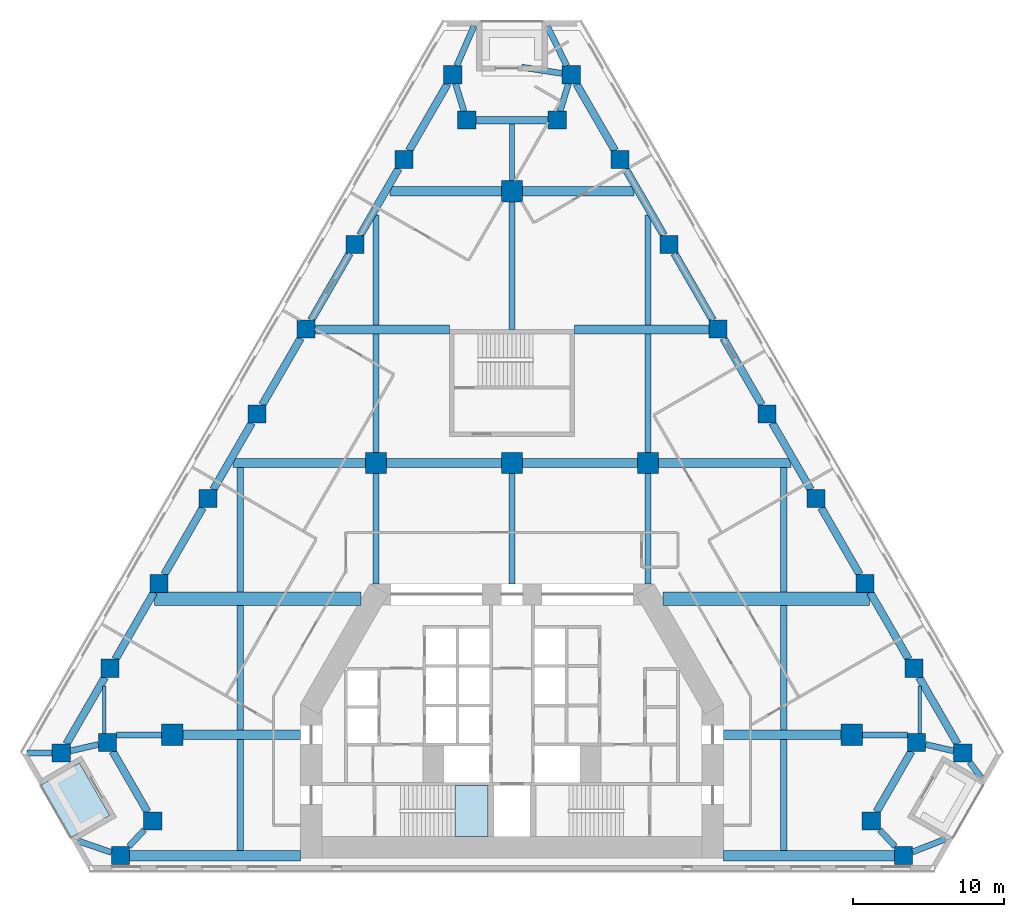
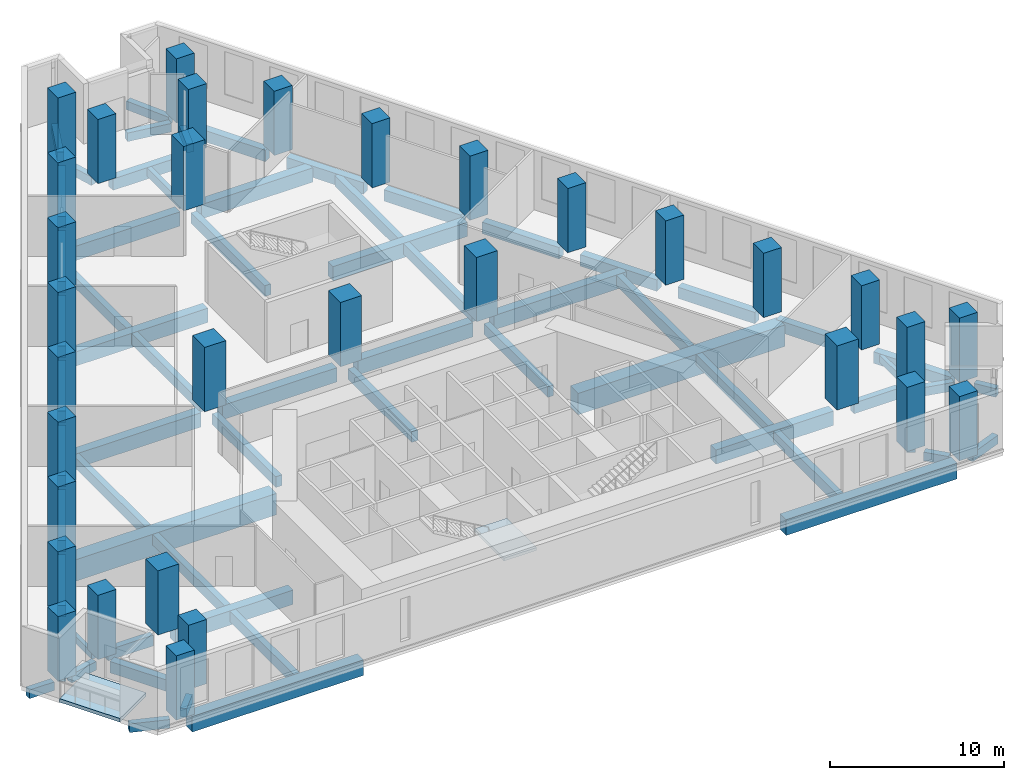
# One storey, part 1 of 14: 65 beams, 32 columns, 2 slabs, 1 element without a shape of its own.
"""IFC4 building model written with IfcOpenShell, lengths in metres."""

from ifc_helpers import new_model, si_unit, direction, frame, origin, origin_2d, place, context, subcontext, project, spatial, polyline, rectangle, outline, extrude, material, layer, layer_set, material_profile, profile_set, type_object, element, aggregate, save


model = new_model("IFC4")

# Units and contexts
model_context = context("Model", 3, precision=1e-05, world=origin(), true_north=direction((0.0, 1.0)))
body_context = subcontext(model_context, "Body", "Model", "MODEL_VIEW")
ifc_project = project(units=[si_unit("LENGTHUNIT", "METRE"), si_unit("AREAUNIT", "SQUARE_METRE"), si_unit("VOLUMEUNIT", "CUBIC_METRE"), si_unit("PLANEANGLEUNIT", "RADIAN"), si_unit("MASSUNIT", "GRAM", prefix="KILO")], contexts=[model_context])

# Site, building, storey
site_placement = place(None, origin())
site = spatial("IfcSite", under=ifc_project, at=site_placement, CompositionType="ELEMENT")
building_placement = place(site_placement, origin())
building = spatial("IfcBuilding", under=site, at=building_placement, Name="Fogline Exchange Tower", CompositionType="ELEMENT")
storey_placement = place(building_placement, frame((0.0, 0.0, 34.0)))
storey = spatial("IfcBuildingStorey", under=building, at=storey_placement, Name="L06", CompositionType="ELEMENT", Elevation=34.0)

# Columns
ifc_material_1 = material(Name="Concrete C80", Category="concrete")
ifc_material_profile_1 = material_profile(ifc_material_1, rectangle(XDim=1.199951171875, YDim=1.199951171875, at=origin_2d()), Name="RC 1200x1200")
ifc_profile_set_1 = profile_set([ifc_material_profile_1], Name="Concrete C80")
column_type_1 = type_object("IfcColumnType", Name="C01", PredefinedType="COLUMN", material=ifc_profile_set_1)
for number, where, z_axis, x_axis, name in (
    (1, (-29.855712890625, 7.794189453125, 0.0), (0.0, 0.0, 1.0), (1.0, 0.0, 0.0), "SW-a"),
    (2, (-26.79638671875, 8.4951171875, 0.0), (0.0, 0.0, 1.0), (1.0, 0.0, 0.0), "SW-p4"),
    (3, (-23.79638671875, 3.299072265625, 0.0), (0.0, 0.0, 1.0), (1.0, 0.0, 0.0), "SW-p3"),
    (4, (-25.93310546875, 1.0, 0.0), (0.0, 0.0, 1.0), (1.0, 0.0, 0.0), "SW-b"),
    (5, (25.93310546875, 1.0, 0.0), (0.0, 0.0, 1.0), (1.0, 0.0, 0.0), "SE-a"),
    (6, (23.79638671875, 3.299072265625, 0.0), (0.0, 0.0, 1.0), (1.0, 0.0, 0.0), "SE-p4"),
    (7, (26.79638671875, 8.4951171875, 0.0), (0.0, 0.0, 1.0), (1.0, 0.0, 0.0), "SE-p3"),
    (8, (29.855712890625, 7.794189453125, 0.0), (0.0, 0.0, 1.0), (1.0, 0.0, 0.0), "SE-b"),
    (9, (26.614013671875, 13.408935546875, 0.0), (0.0, 0.0, 1.0), (1.0, 0.0, 0.0), "E1"),
    (10, (23.37255859375, 19.023681640625, 0.0), (0.0, 0.0, 1.0), (1.0, 0.0, 0.0), "E2"),
    (11, (20.130859375, 24.63818359375, 0.0), (0.0, 0.0, 1.0), (1.0, 0.0, 0.0), "E3"),
    (12, (16.88916015625, 30.2529296875, 0.0), (0.0, 0.0, 1.0), (1.0, 0.0, 0.0), "E4"),
    (13, (13.647705078125, 35.86767578125, 0.0), (0.0, 0.0, 1.0), (1.0, 0.0, 0.0), "E5"),
    (14, (10.406005859375, 41.482421875, 0.0), (0.0, 0.0, 1.0), (1.0, 0.0, 0.0), "E6"),
    (15, (7.164306640625, 47.096923828125, 0.0), (0.0, 0.0, 1.0), (1.0, 0.0, 0.0), "E7"),
    (16, (3.922607421875, 52.711669921875, 0.0), (0.0, 0.0, 1.0), (1.0, 0.0, 0.0), "N-a"),
    (17, (3.0, 49.711669921875, 0.0), (0.0, 0.0, 1.0), (1.0, 0.0, 0.0), "N-p4"),
    (18, (-3.0, 49.711669921875, 0.0), (0.0, 0.0, 1.0), (1.0, 0.0, 0.0), "N-p3"),
    (19, (-3.922607421875, 52.711669921875, 0.0), (0.0, 0.0, 1.0), (1.0, 0.0, 0.0), "N-b"),
    (20, (-7.164306640625, 47.096923828125, 0.0), (0.0, 0.0, 1.0), (1.0, 0.0, 0.0), "W1"),
    (21, (-10.406005859375, 41.482421875, 0.0), (0.0, 0.0, 1.0), (1.0, 0.0, 0.0), "W2"),
    (22, (-13.647705078125, 35.86767578125, 0.0), (0.0, 0.0, 1.0), (1.0, 0.0, 0.0), "W3"),
    (23, (-16.88916015625, 30.2529296875, 0.0), (0.0, 0.0, 1.0), (1.0, 0.0, 0.0), "W4"),
    (24, (-20.130859375, 24.63818359375, 0.0), (0.0, 0.0, 1.0), (1.0, 0.0, 0.0), "W5"),
    (25, (-23.37255859375, 19.023681640625, 0.0), (0.0, 0.0, 1.0), (1.0, 0.0, 0.0), "W6"),
    (26, (-26.614013671875, 13.408935546875, 0.0), (0.0, 0.0, 1.0), (1.0, 0.0, 0.0), "W7"),
):
    element("IfcColumn", number, at=place(storey_placement, frame(where, z_axis=z_axis, x_axis=x_axis)), inside=storey, type_object=column_type_1, Name=name, PredefinedType="COLUMN", context=body_context, shape_type="SweptSolid", body=[
        extrude(rectangle(XDim=1.199951171875, YDim=1.199951171875, at=origin_2d()), origin(), (0.0, 0.0, 1.0), 4.5),
    ])
ifc_material_profile_2 = material_profile(ifc_material_1, rectangle(XDim=1.39990234375, YDim=1.39990234375, at=origin_2d()), Name="RC 1400x1400")
ifc_profile_set_2 = profile_set([ifc_material_profile_2], Name="Concrete C80")
column_type_2 = type_object("IfcColumnType", Name="C02", PredefinedType="COLUMN", material=ifc_profile_set_2)
for number, where, z_axis, x_axis, name in (
    (27, (-9.0, 27.0, 0.0), (0.0, 0.0, 1.0), (1.0, 0.0, 0.0), "IC--9-27"),
    (28, (0.0, 27.0, 0.0), (0.0, 0.0, 1.0), (1.0, 0.0, 0.0), "IC-0-27"),
    (29, (9.0, 27.0, 0.0), (0.0, 0.0, 1.0), (1.0, 0.0, 0.0), "IC-9-27"),
    (30, (0.0, 45.0, 0.0), (0.0, 0.0, 1.0), (1.0, 0.0, 0.0), "IC-0-45"),
    (31, (-22.5, 9.0, 0.0), (0.0, 0.0, 1.0), (1.0, 0.0, 0.0), "IC--225-9"),
    (32, (22.5, 9.0, 0.0), (0.0, 0.0, 1.0), (1.0, 0.0, 0.0), "IC-225-9"),
):
    element("IfcColumn", number, at=place(storey_placement, frame(where, z_axis=z_axis, x_axis=x_axis)), inside=storey, type_object=column_type_2, Name=name, PredefinedType="COLUMN", context=body_context, shape_type="SweptSolid", body=[
        extrude(rectangle(XDim=1.39990234375, YDim=1.39990234375, at=origin_2d()), origin(), (0.0, 0.0, 1.0), 4.5),
    ])

# Beams
ifc_material_2 = material(Name="Concrete C40", Category="concrete")
ifc_material_profile_3 = material_profile(ifc_material_2, rectangle(XDim=0.89990234375, YDim=1.5, at=origin_2d()), Name="RC 900x1500")
ifc_profile_set_3 = profile_set([ifc_material_profile_3], Name="Concrete C40")
beam_type_1 = type_object("IfcBeamType", Name="B01", PredefinedType="BEAM", material=ifc_profile_set_3)
for number, where, z_axis, x_axis, name in (
    (33, (-23.6748046875, 18.0, -1.050048828125), (1.0, 0.0, 0.0), (0.0, 1.0, 0.0), "GB005"),
    (34, (9.989013671875, 18.0, -1.050048828125), (1.0, 0.0, 0.0), (0.0, 1.0, 0.0), "GB006"),
):
    element("IfcBeam", number, at=place(storey_placement, frame(where, z_axis=z_axis, x_axis=x_axis)), inside=storey, type_object=beam_type_1, Name=name, PredefinedType="BEAM", context=body_context, shape_type="SweptSolid", body=[
        extrude(rectangle(XDim=0.89990234375, YDim=1.5, at=origin_2d()), origin(), (0.0, 0.0, 1.0), 13.685791015625),
    ])
ifc_material_profile_4 = material_profile(ifc_material_2, rectangle(XDim=0.60009765625, YDim=1.0, at=origin_2d()), Name="RC 600x1000")
ifc_profile_set_4 = profile_set([ifc_material_profile_4], Name="Concrete C40")
beam_type_2 = type_object("IfcBeamType", Name="B03", PredefinedType="BEAM", material=ifc_profile_set_4)
for number, where, z_axis, x_axis, name in (
    (35, (-21.800048828125, 9.0, -0.800048828125), (1.0, 0.0, 0.0), (0.0, 1.0, 0.0), "GB002"),
    (36, (14.0, 9.0, -0.800048828125), (1.0, 0.0, 0.0), (0.0, 1.0, 0.0), "GB003"),
):
    element("IfcBeam", number, at=place(storey_placement, frame(where, z_axis=z_axis, x_axis=x_axis)), inside=storey, type_object=beam_type_2, Name=name, PredefinedType="BEAM", context=body_context, shape_type="SweptSolid", body=[
        extrude(rectangle(XDim=0.60009765625, YDim=1.0, at=origin_2d()), origin(), (0.0, 0.0, 1.0), 7.800048828125),
    ])
beam_1_placement = place(storey_placement, frame((-18.478515625, 27.0, -0.800048828125), z_axis=(1.0, 0.0, 0.0), x_axis=(0.0, 1.0, 0.0)))
element("IfcBeam", 37, at=beam_1_placement, inside=storey, type_object=beam_type_2, Name="GB007", PredefinedType="BEAM", context=body_context, shape_type="SweptSolid", body=[
    extrude(rectangle(XDim=0.60009765625, YDim=1.0, at=origin_2d()), origin(), (0.0, 0.0, 1.0), 8.778564453125),
])
for number, where, z_axis, x_axis, name in (
    (38, (-8.300048828125, 27.0, -0.800048828125), (1.0, 0.0, 0.0), (0.0, 1.0, 0.0), "GB008"),
    (39, (0.699951171875, 27.0, -0.800048828125), (1.0, 0.0, 0.0), (0.0, 1.0, 0.0), "GB009"),
):
    element("IfcBeam", number, at=place(storey_placement, frame(where, z_axis=z_axis, x_axis=x_axis)), inside=storey, type_object=beam_type_2, Name=name, PredefinedType="BEAM", context=body_context, shape_type="SweptSolid", body=[
        extrude(rectangle(XDim=0.60009765625, YDim=1.0, at=origin_2d()), origin(), (0.0, 0.0, 1.0), 7.60009765625),
    ])
beam_2_placement = place(storey_placement, frame((9.699951171875, 27.0, -0.800048828125), z_axis=(1.0, 0.0, 0.0), x_axis=(0.0, 1.0, 0.0)))
element("IfcBeam", 40, at=beam_2_placement, inside=storey, type_object=beam_type_2, Name="GB010", PredefinedType="BEAM", context=body_context, shape_type="SweptSolid", body=[
    extrude(rectangle(XDim=0.60009765625, YDim=1.0, at=origin_2d()), origin(), (0.0, 0.0, 1.0), 8.778564453125),
])
for number, where, z_axis, x_axis, name in (
    (41, (-13.047607421875, 35.85693359375, -0.800048828125), (1.0, 0.0, 0.0), (0.0, 1.0, 0.0), "GB011"),
    (42, (4.14990234375, 35.85693359375, -0.800048828125), (1.0, 0.0, 0.0), (0.0, 1.0, 0.0), "GB012"),
):
    element("IfcBeam", number, at=place(storey_placement, frame(where, z_axis=z_axis, x_axis=x_axis)), inside=storey, type_object=beam_type_2, Name=name, PredefinedType="BEAM", context=body_context, shape_type="SweptSolid", body=[
        extrude(rectangle(XDim=0.60009765625, YDim=1.0, at=origin_2d()), origin(), (0.0, 0.0, 1.0), 8.897705078125),
    ])
for number, where, z_axis, x_axis, name in (
    (43, (-8.086181640625, 45.0, -0.800048828125), (1.0, 0.0, 0.0), (0.0, 1.0, 0.0), "GB013"),
    (44, (0.699951171875, 45.0, -0.800048828125), (1.0, 0.0, 0.0), (0.0, 1.0, 0.0), "GB014"),
):
    element("IfcBeam", number, at=place(storey_placement, frame(where, z_axis=z_axis, x_axis=x_axis)), inside=storey, type_object=beam_type_2, Name=name, PredefinedType="BEAM", context=body_context, shape_type="SweptSolid", body=[
        extrude(rectangle(XDim=0.60009765625, YDim=1.0, at=origin_2d()), origin(), (0.0, 0.0, 1.0), 7.38623046875),
    ])
ifc_material_profile_5 = material_profile(ifc_material_2, rectangle(XDim=0.39990234375, YDim=0.75, at=origin_2d()), Name="RC 400x750")
ifc_profile_set_5 = profile_set([ifc_material_profile_5], Name="Concrete C40")
beam_type_3 = type_object("IfcBeamType", Name="B05", PredefinedType="BEAM", material=ifc_profile_set_5)
for number, where, z_axis, x_axis, name in (
    (45, (-26.1962890625, 9.0, -0.675048828125), (1.0, 0.0, 0.0), (0.0, 1.0, 0.0), "GB001"),
    (46, (23.199951171875, 9.0, -0.675048828125), (1.0, 0.0, 0.0), (0.0, 1.0, 0.0), "GB004"),
):
    element("IfcBeam", number, at=place(storey_placement, frame(where, z_axis=z_axis, x_axis=x_axis)), inside=storey, type_object=beam_type_3, Name=name, PredefinedType="BEAM", context=body_context, shape_type="SweptSolid", body=[
        extrude(rectangle(XDim=0.39990234375, YDim=0.75, at=origin_2d()), origin(), (0.0, 0.0, 1.0), 2.996337890625),
    ])
beam_3_placement = place(storey_placement, frame((-18.0, 1.35009765625, -0.675048828125), z_axis=(0.0, 1.0, 0.0), x_axis=(-1.0, 0.0, 0.0)))
element("IfcBeam", 47, at=beam_3_placement, inside=storey, type_object=beam_type_3, Name="SB002", PredefinedType="BEAM", context=body_context, shape_type="SweptSolid", body=[
    extrude(rectangle(XDim=0.39990234375, YDim=0.75, at=origin_2d()), origin(), (0.0, 0.0, 1.0), 7.349853515625),
])
for number, where, z_axis, x_axis, name in (
    (48, (-18.0, 9.300048828125, -0.675048828125), (0.0, 1.0, 0.0), (-1.0, 0.0, 0.0), "SB003"),
    (49, (-18.0, 18.449951171875, -0.675048828125), (0.0, 1.0, 0.0), (-1.0, 0.0, 0.0), "SB004"),
):
    element("IfcBeam", number, at=place(storey_placement, frame(where, z_axis=z_axis, x_axis=x_axis)), inside=storey, type_object=beam_type_3, Name=name, PredefinedType="BEAM", context=body_context, shape_type="SweptSolid", body=[
        extrude(rectangle(XDim=0.39990234375, YDim=0.75, at=origin_2d()), origin(), (0.0, 0.0, 1.0), 8.25),
    ])
beam_4_placement = place(storey_placement, frame((-9.0, 19.0, -0.675048828125), z_axis=(0.0, 1.0, 0.0), x_axis=(-1.0, 0.0, 0.0)))
element("IfcBeam", 50, at=beam_4_placement, inside=storey, type_object=beam_type_3, Name="SB005", PredefinedType="BEAM", context=body_context, shape_type="SweptSolid", body=[
    extrude(rectangle(XDim=0.39990234375, YDim=0.75, at=origin_2d()), origin(), (0.0, 0.0, 1.0), 7.300048828125),
])
beam_5_placement = place(storey_placement, frame((-9.0, 27.699951171875, -0.675048828125), z_axis=(0.0, 1.0, 0.0), x_axis=(-1.0, 0.0, 0.0)))
element("IfcBeam", 51, at=beam_5_placement, inside=storey, type_object=beam_type_3, Name="SB006", PredefinedType="BEAM", context=body_context, shape_type="SweptSolid", body=[
    extrude(rectangle(XDim=0.39990234375, YDim=0.75, at=origin_2d()), origin(), (0.0, 0.0, 1.0), 7.85693359375),
])
beam_6_placement = place(storey_placement, frame((-9.0, 36.156982421875, -0.675048828125), z_axis=(0.0, 1.0, 0.0), x_axis=(-1.0, 0.0, 0.0)))
element("IfcBeam", 52, at=beam_6_placement, inside=storey, type_object=beam_type_3, Name="SB007", PredefinedType="BEAM", context=body_context, shape_type="SweptSolid", body=[
    extrude(rectangle(XDim=0.39990234375, YDim=0.75, at=origin_2d()), origin(), (0.0, 0.0, 1.0), 7.260498046875),
])
beam_7_placement = place(storey_placement, frame((0.0, 19.0, -0.675048828125), z_axis=(0.0, 1.0, 0.0), x_axis=(-1.0, 0.0, 0.0)))
element("IfcBeam", 53, at=beam_7_placement, inside=storey, type_object=beam_type_3, Name="SB008", PredefinedType="BEAM", context=body_context, shape_type="SweptSolid", body=[
    extrude(rectangle(XDim=0.39990234375, YDim=0.75, at=origin_2d()), origin(), (0.0, 0.0, 1.0), 7.300048828125),
])
beam_8_placement = place(storey_placement, frame((0.0, 35.85693359375, -0.675048828125), z_axis=(0.0, 1.0, 0.0), x_axis=(-1.0, 0.0, 0.0)))
element("IfcBeam", 54, at=beam_8_placement, inside=storey, type_object=beam_type_3, Name="SB009", PredefinedType="BEAM", context=body_context, shape_type="SweptSolid", body=[
    extrude(rectangle(XDim=0.39990234375, YDim=0.75, at=origin_2d()), origin(), (0.0, 0.0, 1.0), 8.443115234375),
])
beam_9_placement = place(storey_placement, frame((9.0, 19.0, -0.675048828125), z_axis=(0.0, 1.0, 0.0), x_axis=(-1.0, 0.0, 0.0)))
element("IfcBeam", 55, at=beam_9_placement, inside=storey, type_object=beam_type_3, Name="SB011", PredefinedType="BEAM", context=body_context, shape_type="SweptSolid", body=[
    extrude(rectangle(XDim=0.39990234375, YDim=0.75, at=origin_2d()), origin(), (0.0, 0.0, 1.0), 7.300048828125),
])
beam_10_placement = place(storey_placement, frame((9.0, 27.699951171875, -0.675048828125), z_axis=(0.0, 1.0, 0.0), x_axis=(-1.0, 0.0, 0.0)))
element("IfcBeam", 56, at=beam_10_placement, inside=storey, type_object=beam_type_3, Name="SB012", PredefinedType="BEAM", context=body_context, shape_type="SweptSolid", body=[
    extrude(rectangle(XDim=0.39990234375, YDim=0.75, at=origin_2d()), origin(), (0.0, 0.0, 1.0), 7.85693359375),
])
beam_11_placement = place(storey_placement, frame((9.0, 36.156982421875, -0.675048828125), z_axis=(0.0, 1.0, 0.0), x_axis=(-1.0, 0.0, 0.0)))
element("IfcBeam", 57, at=beam_11_placement, inside=storey, type_object=beam_type_3, Name="SB013", PredefinedType="BEAM", context=body_context, shape_type="SweptSolid", body=[
    extrude(rectangle(XDim=0.39990234375, YDim=0.75, at=origin_2d()), origin(), (0.0, 0.0, 1.0), 7.260498046875),
])
beam_12_placement = place(storey_placement, frame((18.0, 1.35009765625, -0.675048828125), z_axis=(0.0, 1.0, 0.0), x_axis=(-1.0, 0.0, 0.0)))
element("IfcBeam", 58, at=beam_12_placement, inside=storey, type_object=beam_type_3, Name="SB014", PredefinedType="BEAM", context=body_context, shape_type="SweptSolid", body=[
    extrude(rectangle(XDim=0.39990234375, YDim=0.75, at=origin_2d()), origin(), (0.0, 0.0, 1.0), 7.349853515625),
])
for number, where, z_axis, x_axis, name in (
    (59, (18.0, 9.300048828125, -0.675048828125), (0.0, 1.0, 0.0), (-1.0, 0.0, 0.0), "SB015"),
    (60, (18.0, 18.449951171875, -0.675048828125), (0.0, 1.0, 0.0), (-1.0, 0.0, 0.0), "SB016"),
):
    element("IfcBeam", number, at=place(storey_placement, frame(where, z_axis=z_axis, x_axis=x_axis)), inside=storey, type_object=beam_type_3, Name=name, PredefinedType="BEAM", context=body_context, shape_type="SweptSolid", body=[
        extrude(rectangle(XDim=0.39990234375, YDim=0.75, at=origin_2d()), origin(), (0.0, 0.0, 1.0), 8.25),
    ])
ifc_material_profile_6 = material_profile(ifc_material_2, rectangle(XDim=0.300048828125, YDim=0.60009765625, at=origin_2d()), Name="RC 300x600")
ifc_profile_set_6 = profile_set([ifc_material_profile_6], Name="Concrete C40")
beam_type_4 = type_object("IfcBeamType", Name="B06", PredefinedType="BEAM", material=ifc_profile_set_6)
beam_13_placement = place(storey_placement, frame((0.0, 45.699951171875, -0.60009765625), z_axis=(0.0, 1.0, 0.0), x_axis=(-1.0, 0.0, 0.0)))
element("IfcBeam", 61, at=beam_13_placement, inside=storey, type_object=beam_type_4, Name="SB010", PredefinedType="BEAM", context=body_context, shape_type="SweptSolid", body=[
    extrude(rectangle(XDim=0.300048828125, YDim=0.60009765625, at=origin_2d()), origin(), (0.0, 0.0, 1.0), 3.76171875),
])
ifc_material_profile_7 = material_profile(ifc_material_2, rectangle(XDim=0.25, YDim=0.5, at=origin_2d()), Name="RC 250x500")
ifc_profile_set_7 = profile_set([ifc_material_profile_7], Name="Concrete C40")
beam_type_5 = type_object("IfcBeamType", Name="B08", PredefinedType="BEAM", material=ifc_profile_set_7)
for number, where, z_axis, x_axis, name in (
    (62, (-27.0, 9.09521484375, -0.550048828125), (0.0, 1.0, 0.0), (-1.0, 0.0, 0.0), "SB001"),
    (63, (27.0, 9.09521484375, -0.550048828125), (0.0, 1.0, 0.0), (-1.0, 0.0, 0.0), "SB017"),
):
    element("IfcBeam", number, at=place(storey_placement, frame(where, z_axis=z_axis, x_axis=x_axis)), inside=storey, type_object=beam_type_5, Name=name, PredefinedType="BEAM", context=body_context, shape_type="SweptSolid", body=[
        extrude(rectangle(XDim=0.25, YDim=0.5, at=origin_2d()), origin(), (0.0, 0.0, 1.0), 3.145263671875),
    ])
ifc_material_profile_8 = material_profile(ifc_material_2, rectangle(XDim=0.5, YDim=0.800048828125, at=origin_2d()), Name="RC 500x800")
ifc_profile_set_8 = profile_set([ifc_material_profile_8], Name="Concrete C40")
beam_type_6 = type_object("IfcBeamType", Name="B10", PredefinedType="BEAM", material=ifc_profile_set_8)
for number, where, z_axis, x_axis, name in (
    (64, (-26.449951171875, 7.895263671875, -0.699951171875), (0.500014024385, -0.866017306651, 0.0), (0.866017306651, 0.500014024385, 0.0), "RB002"),
    (65, (24.142578125, 3.89892578125, -0.699951171875), (0.500014024385, 0.866017306651, 0.0), (-0.866017306651, 0.500014024385, 0.0), "RB007"),
):
    element("IfcBeam", number, at=place(storey_placement, frame(where, z_axis=z_axis, x_axis=x_axis)), inside=storey, type_object=beam_type_6, Name=name, PredefinedType="BEAM", context=body_context, shape_type="SweptSolid", body=[
        extrude(rectangle(XDim=0.5, YDim=0.800048828125, at=origin_2d()), origin(), (0.0, 0.0, 1.0), 4.614501953125),
    ])
beam_14_placement = place(storey_placement, frame((29.50927734375, 8.394287109375, -0.699951171875), z_axis=(-0.500012659481, 0.866018094706, 0.0), x_axis=(-0.866018094706, -0.500012659481, 0.0)))
element("IfcBeam", 66, at=beam_14_placement, inside=storey, type_object=beam_type_6, Name="RB009", PredefinedType="BEAM", context=body_context, shape_type="SweptSolid", body=[
    extrude(rectangle(XDim=0.5, YDim=0.800048828125, at=origin_2d()), origin(), (0.0, 0.0, 1.0), 5.097412109375),
])
for number, where, z_axis, x_axis, name in (
    (67, (26.267578125, 14.0087890625, -0.699951171875), (-0.499956000529, 0.8660508054, 0.0), (-0.8660508054, -0.499956000529, 0.0), "RB010"),
    (68, (23.026123046875, 19.62353515625, -0.699951171875), (-0.499991921166, 0.866030068051, 0.0), (-0.866030068051, -0.499991921166, 0.0), "RB011"),
):
    element("IfcBeam", number, at=place(storey_placement, frame(where, z_axis=z_axis, x_axis=x_axis)), inside=storey, type_object=beam_type_6, Name=name, PredefinedType="BEAM", context=body_context, shape_type="SweptSolid", body=[
        extrude(rectangle(XDim=0.5, YDim=0.800048828125, at=origin_2d()), origin(), (0.0, 0.0, 1.0), 5.09765625),
    ])
beam_15_placement = place(storey_placement, frame((19.784423828125, 25.23828125, -0.699951171875), z_axis=(-0.500012659481, 0.866018094706, 0.0), x_axis=(-0.866018094706, -0.500012659481, 0.0)))
element("IfcBeam", 69, at=beam_15_placement, inside=storey, type_object=beam_type_6, Name="RB012", PredefinedType="BEAM", context=body_context, shape_type="SweptSolid", body=[
    extrude(rectangle(XDim=0.5, YDim=0.800048828125, at=origin_2d()), origin(), (0.0, 0.0, 1.0), 5.097412109375),
])
for number, where, z_axis, x_axis, name in (
    (70, (16.542724609375, 30.852783203125, -0.699951171875), (-0.499991921166, 0.866030068051, 0.0), (-0.866030068051, -0.499991921166, 0.0), "RB013"),
    (71, (13.301025390625, 36.467529296875, -0.699951171875), (-0.499991921166, 0.866030068051, 0.0), (-0.866030068051, -0.499991921166, 0.0), "RB014"),
    (72, (10.0595703125, 42.082275390625, -0.699951171875), (-0.499991921166, 0.866030068051, 0.0), (-0.866030068051, -0.499991921166, 0.0), "RB015"),
    (73, (6.81787109375, 47.697021484375, -0.699951171875), (-0.499991921166, 0.866030068051, 0.0), (-0.866030068051, -0.499991921166, 0.0), "RB016"),
):
    element("IfcBeam", number, at=place(storey_placement, frame(where, z_axis=z_axis, x_axis=x_axis)), inside=storey, type_object=beam_type_6, Name=name, PredefinedType="BEAM", context=body_context, shape_type="SweptSolid", body=[
        extrude(rectangle(XDim=0.5, YDim=0.800048828125, at=origin_2d()), origin(), (0.0, 0.0, 1.0), 5.09765625),
    ])
beam_16_placement = place(storey_placement, frame((2.39990234375, 49.711669921875, -0.699951171875), z_axis=(-1.0, 0.0, 0.0), x_axis=(0.0, -1.0, 0.0)))
element("IfcBeam", 74, at=beam_16_placement, inside=storey, type_object=beam_type_6, Name="RB018", PredefinedType="BEAM", context=body_context, shape_type="SweptSolid", body=[
    extrude(rectangle(XDim=0.5, YDim=0.800048828125, at=origin_2d()), origin(), (0.0, 0.0, 1.0), 4.7998046875),
])
for number, where, z_axis, x_axis, name in (
    (75, (-4.26904296875, 52.11181640625, -0.699951171875), (-0.499991921166, -0.866030068051, 0.0), (0.866030068051, -0.499991921166, 0.0), "RB020"),
    (76, (-7.5107421875, 46.4970703125, -0.699951171875), (-0.499991921166, -0.866030068051, 0.0), (0.866030068051, -0.499991921166, 0.0), "RB021"),
    (77, (-10.752197265625, 40.88232421875, -0.699951171875), (-0.499991921166, -0.866030068051, 0.0), (0.866030068051, -0.499991921166, 0.0), "RB022"),
    (78, (-13.993896484375, 35.267578125, -0.699951171875), (-0.499991921166, -0.866030068051, 0.0), (0.866030068051, -0.499991921166, 0.0), "RB023"),
):
    element("IfcBeam", number, at=place(storey_placement, frame(where, z_axis=z_axis, x_axis=x_axis)), inside=storey, type_object=beam_type_6, Name=name, PredefinedType="BEAM", context=body_context, shape_type="SweptSolid", body=[
        extrude(rectangle(XDim=0.5, YDim=0.800048828125, at=origin_2d()), origin(), (0.0, 0.0, 1.0), 5.09765625),
    ])
beam_17_placement = place(storey_placement, frame((-17.235595703125, 29.65283203125, -0.699951171875), z_axis=(-0.500012659481, -0.866018094706, 0.0), x_axis=(0.866018094706, -0.500012659481, 0.0)))
element("IfcBeam", 79, at=beam_17_placement, inside=storey, type_object=beam_type_6, Name="RB024", PredefinedType="BEAM", context=body_context, shape_type="SweptSolid", body=[
    extrude(rectangle(XDim=0.5, YDim=0.800048828125, at=origin_2d()), origin(), (0.0, 0.0, 1.0), 5.097412109375),
])
for number, where, z_axis, x_axis, name in (
    (80, (-20.477294921875, 24.038330078125, -0.699951171875), (-0.499991921166, -0.866030068051, 0.0), (0.866030068051, -0.499991921166, 0.0), "RB025"),
    (81, (-23.718994140625, 18.423583984375, -0.699951171875), (-0.499956000529, -0.8660508054, 0.0), (0.8660508054, -0.499956000529, 0.0), "RB026"),
):
    element("IfcBeam", number, at=place(storey_placement, frame(where, z_axis=z_axis, x_axis=x_axis)), inside=storey, type_object=beam_type_6, Name=name, PredefinedType="BEAM", context=body_context, shape_type="SweptSolid", body=[
        extrude(rectangle(XDim=0.5, YDim=0.800048828125, at=origin_2d()), origin(), (0.0, 0.0, 1.0), 5.09765625),
    ])
beam_18_placement = place(storey_placement, frame((-26.96044921875, 12.808837890625, -0.699951171875), z_axis=(-0.500012659481, -0.866018094706, 0.0), x_axis=(0.866018094706, -0.500012659481, 0.0)))
element("IfcBeam", 82, at=beam_18_placement, inside=storey, type_object=beam_type_6, Name="RB027", PredefinedType="BEAM", context=body_context, shape_type="SweptSolid", body=[
    extrude(rectangle(XDim=0.5, YDim=0.800048828125, at=origin_2d()), origin(), (0.0, 0.0, 1.0), 5.097412109375),
])
ifc_material_profile_9 = material_profile(ifc_material_2, rectangle(XDim=0.39990234375, YDim=0.60009765625, at=origin_2d()), Name="RC 400x600")
ifc_profile_set_9 = profile_set([ifc_material_profile_9], Name="Concrete C40")
beam_type_7 = type_object("IfcBeamType", Name="B11", PredefinedType="BEAM", material=ifc_profile_set_9)
beam_19_placement = place(storey_placement, frame((-29.255615234375, 7.931640625, -0.60009765625), z_axis=(0.974741606569, 0.223335622829, 0.0), x_axis=(-0.223335622829, 0.974741606569, 0.0)))
element("IfcBeam", 83, at=beam_19_placement, inside=storey, type_object=beam_type_7, Name="RB001", PredefinedType="BEAM", context=body_context, shape_type="SweptSolid", body=[
    extrude(rectangle(XDim=0.39990234375, YDim=0.60009765625, at=origin_2d()), origin(), (0.0, 0.0, 1.0), 1.907470703125),
])
for number, where, z_axis, x_axis, name in (
    (84, (-24.35400390625, 2.698974609375, -0.60009765625), (-0.680844217962, -0.732428256464, 0.0), (0.732428256464, -0.680844217962, 0.0), "RB003"),
    (85, (25.37548828125, 1.60009765625, -0.60009765625), (-0.680844217962, 0.732428256464, 0.0), (-0.732428256464, -0.680844217962, 0.0), "RB006"),
):
    element("IfcBeam", number, at=place(storey_placement, frame(where, z_axis=z_axis, x_axis=x_axis)), inside=storey, type_object=beam_type_7, Name=name, PredefinedType="BEAM", context=body_context, shape_type="SweptSolid", body=[
        extrude(rectangle(XDim=0.39990234375, YDim=0.60009765625, at=origin_2d()), origin(), (0.0, 0.0, 1.0), 1.500244140625),
    ])
beam_20_placement = place(storey_placement, frame((27.396240234375, 8.357666015625, -0.60009765625), z_axis=(0.974741606569, -0.223335622829, 0.0), x_axis=(0.223335622829, 0.974741606569, 0.0)))
element("IfcBeam", 86, at=beam_20_placement, inside=storey, type_object=beam_type_7, Name="RB008", PredefinedType="BEAM", context=body_context, shape_type="SweptSolid", body=[
    extrude(rectangle(XDim=0.39990234375, YDim=0.60009765625, at=origin_2d()), origin(), (0.0, 0.0, 1.0), 1.907470703125),
])
for number, where, z_axis, x_axis, name in (
    (87, (3.738037109375, 52.11181640625, -0.60009765625), (-0.293894535925, -0.955837853275, 0.0), (0.955837853275, -0.293894535925, 0.0), "RB017"),
    (88, (-3.1845703125, 50.311767578125, -0.60009765625), (-0.293894535925, 0.955837853275, 0.0), (-0.955837853275, -0.293894535925, 0.0), "RB019"),
):
    element("IfcBeam", number, at=place(storey_placement, frame(where, z_axis=z_axis, x_axis=x_axis)), inside=storey, type_object=beam_type_7, Name=name, PredefinedType="BEAM", context=body_context, shape_type="SweptSolid", body=[
        extrude(rectangle(XDim=0.39990234375, YDim=0.60009765625, at=origin_2d()), origin(), (0.0, 0.0, 1.0), 1.88330078125),
    ])
beam_21_placement = place(storey_placement, frame((3.62744140625, 53.311767578125, -0.60009765625), z_axis=(-0.441477693674, 0.897272225129, 0.0), x_axis=(-0.897272225129, -0.441477693674, 0.0)))
element("IfcBeam", 89, at=beam_21_placement, inside=storey, type_object=beam_type_7, Name="SP028", PredefinedType="BEAM", context=body_context, shape_type="SweptSolid", body=[
    extrude(rectangle(XDim=0.39990234375, YDim=0.60009765625, at=origin_2d()), origin(), (0.0, 0.0, 1.0), 2.916015625),
])
beam_22_placement = place(storey_placement, frame((-3.661376953125, 53.311767578125, -0.60009765625), z_axis=(0.399274814223, 0.916831294583, 0.0), x_axis=(-0.916831294583, 0.399274814223, 0.0)))
element("IfcBeam", 90, at=beam_22_placement, inside=storey, type_object=beam_type_7, Name="SP029", PredefinedType="BEAM", context=body_context, shape_type="SweptSolid", body=[
    extrude(rectangle(XDim=0.39990234375, YDim=0.60009765625, at=origin_2d()), origin(), (0.0, 0.0, 1.0), 2.87939453125),
])
beam_23_placement = place(storey_placement, frame((-26.533203125, 1.20703125, -0.60009765625), z_axis=(-0.945276137609, 0.326271395723, 0.0), x_axis=(-0.326271395723, -0.945276137609, 0.0)))
element("IfcBeam", 91, at=beam_23_placement, inside=storey, type_object=beam_type_7, Name="SP030", PredefinedType="BEAM", context=body_context, shape_type="SweptSolid", body=[
    extrude(rectangle(XDim=0.39990234375, YDim=0.60009765625, at=origin_2d()), origin(), (0.0, 0.0, 1.0), 2.358642578125),
])
beam_24_placement = place(storey_placement, frame((26.533203125, 1.237060546875, -0.60009765625), z_axis=(0.930003275072, 0.367551232288, 0.0), x_axis=(-0.367551232288, 0.930003275072, 0.0)))
element("IfcBeam", 92, at=beam_24_placement, inside=storey, type_object=beam_type_7, Name="SP031", PredefinedType="BEAM", context=body_context, shape_type="SweptSolid", body=[
    extrude(rectangle(XDim=0.39990234375, YDim=0.60009765625, at=origin_2d()), origin(), (0.0, 0.0, 1.0), 2.326171875),
])
beam_25_placement = place(storey_placement, frame((3.322509765625, 52.803955078125, -0.60009765625), z_axis=(-0.988387312289, 0.151955654409, 0.0), x_axis=(-0.151955654409, -0.988387312289, 0.0)))
element("IfcBeam", 93, at=beam_25_placement, inside=storey, type_object=beam_type_7, Name="SP032", PredefinedType="BEAM", context=body_context, shape_type="SweptSolid", body=[
    extrude(rectangle(XDim=0.39990234375, YDim=0.60009765625, at=origin_2d()), origin(), (0.0, 0.0, 1.0), 2.71044921875),
])
beam_26_placement = place(storey_placement, frame((-30.455810546875, 7.794189453125, -0.60009765625), z_axis=(-1.0, 0.0, 0.0), x_axis=(0.0, -1.0, 0.0)))
element("IfcBeam", 94, at=beam_26_placement, inside=storey, type_object=beam_type_7, Name="SP033", PredefinedType="BEAM", context=body_context, shape_type="SweptSolid", body=[
    extrude(rectangle(XDim=0.39990234375, YDim=0.60009765625, at=origin_2d()), origin(), (0.0, 0.0, 1.0), 1.651611328125),
])
beam_27_placement = place(storey_placement, frame((30.3046875, 7.194091796875, -0.60009765625), z_axis=(0.599088611957, -0.800682730564, 0.0), x_axis=(0.800682730564, 0.599088611957, 0.0)))
element("IfcBeam", 95, at=beam_27_placement, inside=storey, type_object=beam_type_7, Name="SP034", PredefinedType="BEAM", context=body_context, shape_type="SweptSolid", body=[
    extrude(rectangle(XDim=0.39990234375, YDim=0.60009765625, at=origin_2d()), origin(), (0.0, 0.0, 1.0), 1.3720703125),
])
ifc_material_profile_10 = material_profile(ifc_material_2, rectangle(XDim=0.699951171875, YDim=1.10009765625, at=origin_2d()), Name="RC 700x1100")
ifc_profile_set_10 = profile_set([ifc_material_profile_10], Name="Concrete C40")
beam_type_8 = type_object("IfcBeamType", Name="B12", PredefinedType="BEAM", material=ifc_profile_set_10)
for number, where, z_axis, x_axis, name in (
    (96, (-25.3330078125, 1.0, -0.85009765625), (1.0, 0.0, 0.0), (0.0, 1.0, 0.0), "RB004"),
    (97, (14.0, 1.0, -0.85009765625), (1.0, 0.0, 0.0), (0.0, 1.0, 0.0), "RB005"),
):
    element("IfcBeam", number, at=place(storey_placement, frame(where, z_axis=z_axis, x_axis=x_axis)), inside=storey, type_object=beam_type_8, Name=name, PredefinedType="BEAM", context=body_context, shape_type="SweptSolid", body=[
        extrude(rectangle(XDim=0.699951171875, YDim=1.10009765625, at=origin_2d()), origin(), (0.0, 0.0, 1.0), 11.3330078125),
    ])

# Slab
ifc_layer_1 = layer(ifc_material_2, 0.25)
ifc_layer_set_1 = layer_set([ifc_layer_1], Name="DK1")
slab_type_1 = type_object("IfcSlabType", Name="DK1", PredefinedType="FLOOR", material=ifc_layer_set_1)
slab_1_placement = place(storey_placement, frame((0.0, 0.0, -0.25)))
element("IfcSlab", 98, at=slab_1_placement, inside=storey, type_object=slab_type_1, Name="Balcony L06 SW", PredefinedType="FLOOR", context=body_context, shape_type="SweptSolid", body=[
    extrude(outline(polyline([(-31.25, 5.629150390625), (-29.25, 2.1650390625), (-26.65185546875, 3.6650390625), (-28.65185546875, 7.129150390625), (-31.25, 5.629150390625)])), origin(), (0.0, 0.0, 1.0), 0.25),
])

# Stair, slab
stair_type = type_object("IfcStairType", Name="STR28-1607", PredefinedType="HALF_TURN_STAIR", material=ifc_material_2)
stair_placement = place(storey_placement, origin())
stair = element("IfcStair", 99, at=stair_placement, inside=storey, type_object=stair_type, Name="Stair ST1", PredefinedType="HALF_TURN_STAIR")
ifc_layer_2 = layer(ifc_material_2, 0.199951171875)
ifc_layer_set_2 = layer_set([ifc_layer_2], Name="SL200")
slab_type_2 = type_object("IfcSlabType", Name="SL200", PredefinedType="LANDING", material=ifc_layer_set_2)
slab_2_placement = place(storey_placement, frame((0.0, 0.0, 2.050048828125)))
slab_2 = element("IfcSlab", 100, at=slab_2_placement, type_object=slab_type_2, Name="ST1 landing 1", PredefinedType="LANDING", context=body_context, shape_type="SweptSolid", body=[
    extrude(outline(polyline([(-3.760009765625, 2.25), (-1.60009765625, 2.25), (-1.60009765625, 5.64990234375), (-3.760009765625, 5.64990234375), (-3.760009765625, 2.25)])), origin(), (0.0, 0.0, 1.0), 0.199951171875),
])
aggregate(stair, [slab_2])

save(model, "model.ifc")
